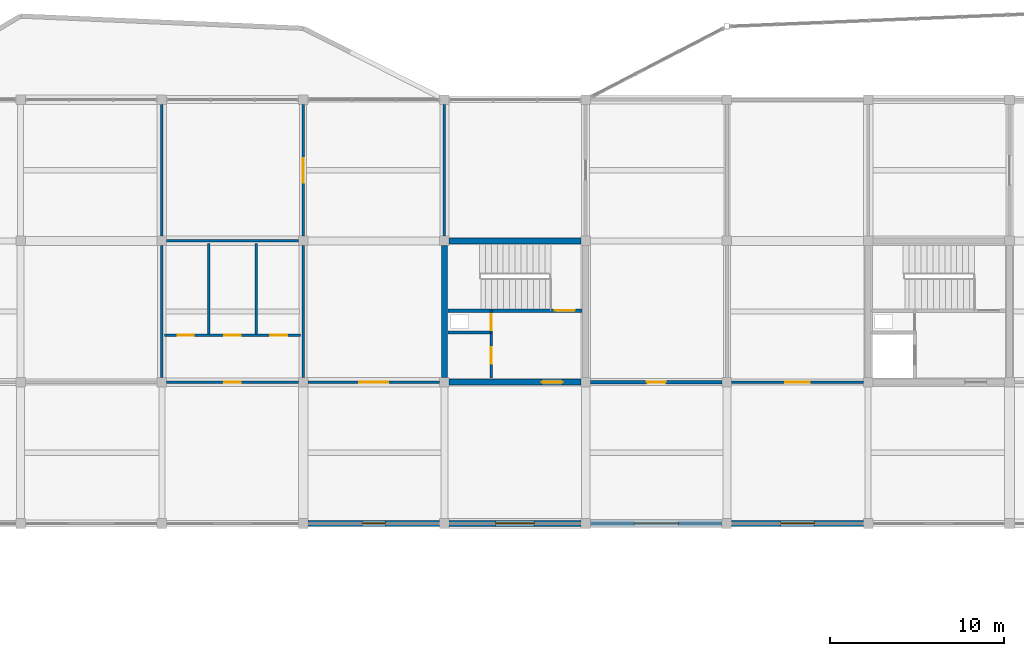
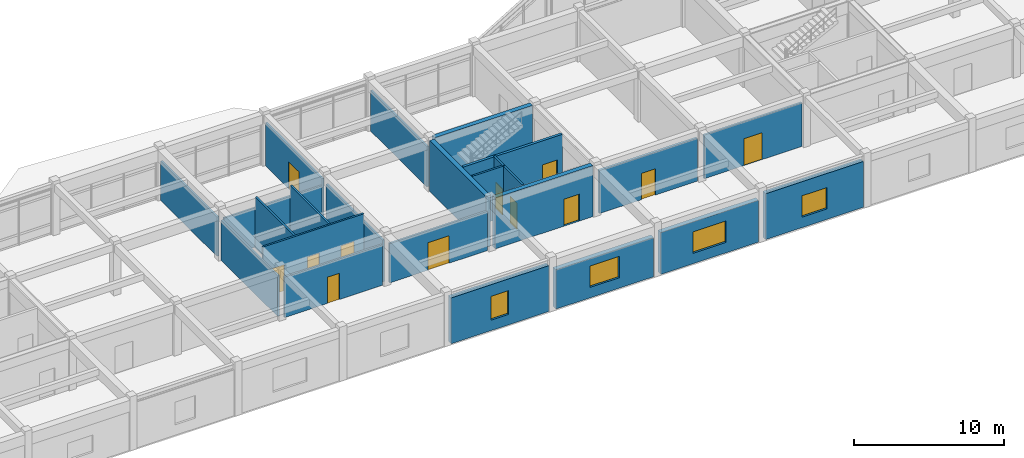
# One storey, part 28 of 42: 24 walls, 12 doors, 4 windows, 16 openings.
"""IFC4 building model written with IfcOpenShell, lengths in metres."""

from ifc_helpers import new_model, si_unit, direction, frame, frame_2d, origin, place, context, subcontext, project, spatial, rectangle, extrude, material, layer, layer_set, type_object, element, fill, save


model = new_model("IFC4")

# Units and contexts
model_context = context("Model", 3, precision=1e-05, world=origin(), true_north=direction((0.0, 1.0)))
body_context = subcontext(model_context, "Body", "Model", "MODEL_VIEW")
ifc_project = project(units=[si_unit("LENGTHUNIT", "METRE"), si_unit("AREAUNIT", "SQUARE_METRE"), si_unit("VOLUMEUNIT", "CUBIC_METRE"), si_unit("PLANEANGLEUNIT", "RADIAN"), si_unit("MASSUNIT", "GRAM", prefix="KILO")], contexts=[model_context])

# Site, building, storey
site_placement = place(None, origin())
site = spatial("IfcSite", under=ifc_project, at=site_placement, CompositionType="ELEMENT")
building_placement = place(site_placement, origin())
building = spatial("IfcBuilding", under=site, at=building_placement, Name="Vaudrelin Polytechnic", CompositionType="ELEMENT")
storey_placement = place(building_placement, frame((0.0, 0.0, 18.530029296875)))
storey = spatial("IfcBuildingStorey", under=building, at=storey_placement, Name="L04", CompositionType="ELEMENT", Elevation=18.530029296875)

# Wall, opening, window
ifc_material_1 = material(Name="Precast concrete 35 MPa with standing-seam zinc rainscreen", Category="concrete")
ifc_layer_1 = layer(ifc_material_1, 0.360107421875)
ifc_layer_set_1 = layer_set([ifc_layer_1], Name="Precast concrete 35 MPa with standing-seam zinc rainscreen")
wall_type_1 = type_object("IfcWallType", Name="WAL-EW-ZINC360", PredefinedType="STANDARD", material=ifc_layer_set_1)
wall_1_placement = place(storey_placement, frame((48.873046875, 97.199951171875, 0.0), z_axis=(0.0, 0.0, 1.0), x_axis=(1.0, 0.0, 0.0)))
wall_1 = element("IfcWall", 1, at=wall_1_placement, inside=storey, type_object=wall_type_1, Name="Exterior wall L04 S_V5_05", PredefinedType="STANDARD", context=body_context, shape_type="SweptSolid", body=[
    extrude(rectangle(XDim=7.553955078125, YDim=0.360107421875, at=frame_2d((3.77685546875, 0.0))), origin(), (0.0, 0.0, 1.0), 3.7470703125),
])
opening_1_placement = place(wall_1_placement, frame((3.10205078125, 0.0, 0.85009765625)))
opening_1 = element("IfcOpeningElement", 2, at=opening_1_placement, cuts=wall_1, Name="Opening W-L04-S-V5-06", PredefinedType="OPENING", context=body_context, shape_type="SweptSolid", body=[
    extrude(rectangle(XDim=1.35009765625, YDim=1.949951171875, at=frame_2d((0.675048828125, 0.97509765625))), frame((0.0, 0.18994140625, 0.0), z_axis=(0.0, -1.0, 0.0), x_axis=(1.0, 0.0, 0.0)), (0.0, 0.0, 1.0), 0.380126953125),
])
ifc_material_2 = material(Name="Thermally broken aluminium frame with triple low-e glazing", Category="aluminium")
window_type_1 = type_object("IfcWindowType", Name="WIN-WN-14", PartitioningType="SINGLE_PANEL", PredefinedType="WINDOW", material=ifc_material_2)
window_1_placement = place(opening_1_placement, origin())
window_1 = element("IfcWindow", 3, at=window_1_placement, inside=storey, type_object=window_type_1, Name="Facade window L04-S_V5_05", OverallHeight=1.949951171875, OverallWidth=1.35009765625, PartitioningType="SINGLE_PANEL", PredefinedType="WINDOW", context=body_context, shape_type="SweptSolid", body=[
    extrude(rectangle(XDim=1.35009765625, YDim=1.949951171875, at=frame_2d((0.675048828125, 0.97509765625))), frame((0.0, 0.030029296875, 0.0), z_axis=(0.0, -1.0, 0.0), x_axis=(1.0, 0.0, 0.0)), (0.0, 0.0, 1.0), 0.06005859375),
])
fill(opening_1, window_1)

wall_2_placement = place(storey_placement, frame((56.972900390625, 97.199951171875, 0.0), z_axis=(0.0, 0.0, 1.0), x_axis=(1.0, 0.0, 0.0)))
wall_2 = element("IfcWall", 4, at=wall_2_placement, inside=storey, type_object=wall_type_1, Name="Exterior wall L04 S_V5_06", PredefinedType="STANDARD", context=body_context, shape_type="SweptSolid", body=[
    extrude(rectangle(XDim=7.55419921875, YDim=0.360107421875, at=frame_2d((3.777099609375, 0.0))), origin(), (0.0, 0.0, 1.0), 3.2119140625),
])
opening_2_placement = place(wall_2_placement, frame((2.652099609375, 0.0, 0.85009765625)))
opening_2 = element("IfcOpeningElement", 5, at=opening_2_placement, cuts=wall_2, Name="Opening W-L04-S-V5-07", PredefinedType="OPENING", context=body_context, shape_type="SweptSolid", body=[
    extrude(rectangle(XDim=2.25, YDim=1.75, at=frame_2d((1.125, 0.875))), frame((0.0, 0.18994140625, 0.0), z_axis=(0.0, -1.0, 0.0), x_axis=(1.0, 0.0, 0.0)), (0.0, 0.0, 1.0), 0.380126953125),
])
window_type_2 = type_object("IfcWindowType", Name="WIN-WN-15", PartitioningType="SINGLE_PANEL", PredefinedType="WINDOW", material=ifc_material_2)
window_2_placement = place(opening_2_placement, origin())
window_2 = element("IfcWindow", 6, at=window_2_placement, inside=storey, type_object=window_type_2, Name="Facade window L04-S_V5_06", OverallHeight=1.75, OverallWidth=2.25, PartitioningType="SINGLE_PANEL", PredefinedType="WINDOW", context=body_context, shape_type="SweptSolid", body=[
    extrude(rectangle(XDim=2.25, YDim=1.75, at=frame_2d((1.125, 0.875))), frame((0.0, 0.030029296875, 0.0), z_axis=(0.0, -1.0, 0.0), x_axis=(1.0, 0.0, 0.0)), (0.0, 0.0, 1.0), 0.06005859375),
])
fill(opening_2, window_2)

wall_3_placement = place(storey_placement, frame((65.072998046875, 97.199951171875, 0.0), z_axis=(0.0, 0.0, 1.0), x_axis=(1.0, 0.0, 0.0)))
wall_3 = element("IfcWall", 7, at=wall_3_placement, inside=storey, type_object=wall_type_1, Name="Exterior wall L04 S_V5_07", PredefinedType="STANDARD", context=body_context, shape_type="SweptSolid", body=[
    extrude(rectangle(XDim=7.553955078125, YDim=0.360107421875, at=frame_2d((3.77685546875, 0.0))), origin(), (0.0, 0.0, 1.0), 3.411865234375),
])
opening_3_placement = place(wall_3_placement, frame((2.501953125, 0.0, 0.85009765625)))
opening_3 = element("IfcOpeningElement", 8, at=opening_3_placement, cuts=wall_3, Name="Opening W-L04-S-V5-08", PredefinedType="OPENING", context=body_context, shape_type="SweptSolid", body=[
    extrude(rectangle(XDim=2.550048828125, YDim=1.75, at=frame_2d((1.27490234375, 0.875))), frame((0.0, 0.18994140625, 0.0), z_axis=(0.0, -1.0, 0.0), x_axis=(1.0, 0.0, 0.0)), (0.0, 0.0, 1.0), 0.380126953125),
])
window_type_3 = type_object("IfcWindowType", Name="WIN-WN-16", PartitioningType="SINGLE_PANEL", PredefinedType="WINDOW", material=ifc_material_2)
window_3_placement = place(opening_3_placement, origin())
window_3 = element("IfcWindow", 9, at=window_3_placement, inside=storey, type_object=window_type_3, Name="Facade window L04-S_V5_07", OverallHeight=1.75, OverallWidth=2.550048828125, PartitioningType="SINGLE_PANEL", PredefinedType="WINDOW", context=body_context, shape_type="SweptSolid", body=[
    extrude(rectangle(XDim=2.550048828125, YDim=1.75, at=frame_2d((1.27490234375, 0.875))), frame((0.0, 0.030029296875, 0.0), z_axis=(0.0, -1.0, 0.0), x_axis=(1.0, 0.0, 0.0)), (0.0, 0.0, 1.0), 0.06005859375),
])
fill(opening_3, window_3)

wall_4_placement = place(storey_placement, frame((73.173095703125, 97.199951171875, 0.0), z_axis=(0.0, 0.0, 1.0), x_axis=(1.0, 0.0, 0.0)))
wall_4 = element("IfcWall", 10, at=wall_4_placement, inside=storey, type_object=wall_type_1, Name="Exterior wall L04 S_V5_08", PredefinedType="STANDARD", context=body_context, shape_type="SweptSolid", body=[
    extrude(rectangle(XDim=7.553955078125, YDim=0.360107421875, at=frame_2d((3.77685546875, 0.0))), origin(), (0.0, 0.0, 1.0), 3.7470703125),
])
opening_4_placement = place(wall_4_placement, frame((2.802001953125, 0.0, 0.85009765625)))
opening_4 = element("IfcOpeningElement", 11, at=opening_4_placement, cuts=wall_4, Name="Opening W-L04-S-V5-09", PredefinedType="OPENING", context=body_context, shape_type="SweptSolid", body=[
    extrude(rectangle(XDim=1.949951171875, YDim=1.75, at=frame_2d((0.97509765625, 0.875))), frame((0.0, 0.18994140625, 0.0), z_axis=(0.0, -1.0, 0.0), x_axis=(1.0, 0.0, 0.0)), (0.0, 0.0, 1.0), 0.380126953125),
])
window_type_4 = type_object("IfcWindowType", Name="WIN-WN-17", PartitioningType="SINGLE_PANEL", PredefinedType="WINDOW", material=ifc_material_2)
window_4_placement = place(opening_4_placement, origin())
window_4 = element("IfcWindow", 12, at=window_4_placement, inside=storey, type_object=window_type_4, Name="Facade window L04-S_V5_08", OverallHeight=1.75, OverallWidth=1.949951171875, PartitioningType="SINGLE_PANEL", PredefinedType="WINDOW", context=body_context, shape_type="SweptSolid", body=[
    extrude(rectangle(XDim=1.949951171875, YDim=1.75, at=frame_2d((0.97509765625, 0.875))), frame((0.0, 0.030029296875, 0.0), z_axis=(0.0, -1.0, 0.0), x_axis=(1.0, 0.0, 0.0)), (0.0, 0.0, 1.0), 0.06005859375),
])
fill(opening_4, window_4)

# Wall, opening, door
ifc_material_3 = material(Name="Acoustic double-stud gypsum & mineral-wool partition", Category="gypsum")
ifc_layer_2 = layer(ifc_material_3, 0.179931640625)
ifc_layer_set_2 = layer_set([ifc_layer_2], Name="Acoustic double-stud gypsum & mineral-wool partition")
wall_type_2 = type_object("IfcWallType", Name="WAL-PW-AC180", PredefinedType="PARTITIONING", material=ifc_layer_set_2)
wall_5_placement = place(storey_placement, frame((65.072998046875, 105.300048828125, 0.0), z_axis=(0.0, 0.0, 1.0), x_axis=(1.0, 0.0, 0.0)))
wall_5 = element("IfcWall", 13, at=wall_5_placement, inside=storey, type_object=wall_type_2, Name="Partition L04-003 S", PredefinedType="PARTITIONING", context=body_context, shape_type="SweptSolid", body=[
    extrude(rectangle(XDim=7.553955078125, YDim=0.179931640625, at=frame_2d((3.77685546875, 0.0))), origin(), (0.0, 0.0, 1.0), 3.511962890625),
])
opening_5_placement = place(wall_5_placement, frame((3.237060546875, 0.0, 0.0)))
opening_5 = element("IfcOpeningElement", 14, at=opening_5_placement, cuts=wall_5, Name="Opening D-L04-519", PredefinedType="OPENING", context=body_context, shape_type="SweptSolid", body=[
    extrude(rectangle(XDim=1.080078125, YDim=2.14990234375, at=frame_2d((0.5400390625, 1.074951171875))), frame((0.0, 0.10009765625, 0.0), z_axis=(0.0, -1.0, 0.0), x_axis=(1.0, 0.0, 0.0)), (0.0, 0.0, 1.0), 0.199951171875),
])
ifc_material_4 = material(Name="Solid-core birch veneer acoustic leaf", Category="wood")
door_type_1 = type_object("IfcDoorType", Name="DOR-ID-SEM2", OperationType="NOTDEFINED", PredefinedType="DOOR", material=ifc_material_4)
door_1_placement = place(opening_5_placement, origin())
door_1 = element("IfcDoor", 15, at=door_1_placement, inside=storey, type_object=door_type_1, Name="Pin-Up Critique Seminar Room 401 door L04-003", OperationType="SINGLE_SWING_RIGHT", OverallHeight=2.14990234375, OverallWidth=1.080078125, PredefinedType="DOOR", context=body_context, shape_type="SweptSolid", body=[
    extrude(rectangle(XDim=1.080078125, YDim=2.14990234375, at=frame_2d((0.5400390625, 1.074951171875))), frame((0.0, 0.02490234375, 0.0), z_axis=(0.0, -1.0, 0.0), x_axis=(1.0, 0.0, 0.0)), (0.0, 0.0, 1.0), 0.050048828125),
])
fill(opening_5, door_1)

ifc_material_5 = material(Name="Fire-rated steel-stud gypsum compartment wall", Category="steel")
ifc_layer_3 = layer(ifc_material_5, 0.14990234375)
ifc_layer_set_3 = layer_set([ifc_layer_3], Name="Fire-rated steel-stud gypsum compartment wall")
wall_type_3 = type_object("IfcWallType", Name="WAL-PW-FIRE60", PredefinedType="PARTITIONING", material=ifc_layer_set_3)
wall_6_placement = place(storey_placement, frame((59.3798828125, 108.14990234375, 0.0), z_axis=(0.0, 0.0, 1.0), x_axis=(0.0, 1.0, 0.0)))
wall_6 = element("IfcWall", 16, at=wall_6_placement, inside=storey, type_object=wall_type_3, Name="Core C9 riser enclosure wall L04", PredefinedType="PARTITIONING", context=body_context, shape_type="SweptSolid", body=[
    extrude(rectangle(XDim=1.260009765625, YDim=0.14990234375, at=frame_2d((0.6298828125, 0.0))), origin(), (0.0, 0.0, 1.0), 4.161865234375),
])
opening_6_placement = place(wall_6_placement, frame((0.139892578125, 0.0, 0.0)))
opening_6 = element("IfcOpeningElement", 17, at=opening_6_placement, cuts=wall_6, Name="Opening D-L04-197", PredefinedType="OPENING", context=body_context, shape_type="SweptSolid", body=[
    extrude(rectangle(XDim=0.89990234375, YDim=2.14990234375, at=frame_2d((0.449951171875, 1.074951171875))), frame((0.0, 0.0849609375, 0.0), z_axis=(0.0, -1.0, 0.0), x_axis=(1.0, 0.0, 0.0)), (0.0, 0.0, 1.0), 0.169921875),
])
ifc_material_6 = material(Name="Pressed galvanised steel acoustic leaf", Category="steel")
door_type_2 = type_object("IfcDoorType", Name="DOR-ID-RSR1", OperationType="NOTDEFINED", PredefinedType="DOOR", material=ifc_material_6)
door_2_placement = place(opening_6_placement, origin())
door_2 = element("IfcDoor", 18, at=door_2_placement, inside=storey, type_object=door_type_2, Name="Core C9 riser access door L04", OperationType="SINGLE_SWING_RIGHT", OverallHeight=2.14990234375, OverallWidth=0.89990234375, PredefinedType="DOOR", context=body_context, shape_type="SweptSolid", body=[
    extrude(rectangle(XDim=0.89990234375, YDim=2.14990234375, at=frame_2d((0.449951171875, 1.074951171875))), frame((0.0, 0.02490234375, 0.0), z_axis=(0.0, -1.0, 0.0), x_axis=(1.0, 0.0, 0.0)), (0.0, 0.0, 1.0), 0.050048828125),
])
fill(opening_6, door_2)

# Wall
wall_7_placement = place(storey_placement, frame((56.919921875, 108.14990234375, 0.0), z_axis=(0.0, 0.0, 1.0), x_axis=(1.0, 0.0, 0.0)))
element("IfcWall", 19, at=wall_7_placement, inside=storey, type_object=wall_type_3, Name="Core C9 riser south fire wall L04", PredefinedType="PARTITIONING", context=body_context, shape_type="SweptSolid", body=[
    extrude(rectangle(XDim=2.530029296875, YDim=0.14990234375, at=frame_2d((1.26513671875, 0.0))), origin(), (0.0, 0.0, 1.0), 4.161865234375),
])

# Wall, opening, door
wall_8_placement = place(storey_placement, frame((59.3798828125, 105.550048828125, 0.0), z_axis=(0.0, 0.0, 1.0), x_axis=(0.0, 1.0, 0.0)))
wall_8 = element("IfcWall", 20, at=wall_8_placement, inside=storey, type_object=wall_type_3, Name="Core C9 custodial enclosure wall L04", PredefinedType="PARTITIONING", context=body_context, shape_type="SweptSolid", body=[
    extrude(rectangle(XDim=2.599853515625, YDim=0.14990234375, at=frame_2d((1.2998046875, 0.0))), origin(), (0.0, 0.0, 1.0), 4.161865234375),
])
opening_7_placement = place(wall_8_placement, frame((0.800048828125, 0.0, 0.0)))
opening_7 = element("IfcOpeningElement", 21, at=opening_7_placement, cuts=wall_8, Name="Opening D-L04-198", PredefinedType="OPENING", context=body_context, shape_type="SweptSolid", body=[
    extrude(rectangle(XDim=0.949951171875, YDim=2.14990234375, at=frame_2d((0.47509765625, 1.074951171875))), frame((0.0, 0.0849609375, 0.0), z_axis=(0.0, -1.0, 0.0), x_axis=(1.0, 0.0, 0.0)), (0.0, 0.0, 1.0), 0.169921875),
])
door_type_3 = type_object("IfcDoorType", Name="DOR-ID-STR1", OperationType="NOTDEFINED", PredefinedType="DOOR", material=ifc_material_6)
door_3_placement = place(opening_7_placement, origin())
door_3 = element("IfcDoor", 22, at=door_3_placement, inside=storey, type_object=door_type_3, Name="Core C9 custodial door L04", OperationType="SINGLE_SWING_RIGHT", OverallHeight=2.14990234375, OverallWidth=0.949951171875, PredefinedType="DOOR", context=body_context, shape_type="SweptSolid", body=[
    extrude(rectangle(XDim=0.949951171875, YDim=2.14990234375, at=frame_2d((0.47509765625, 1.074951171875))), frame((0.0, 0.02490234375, 0.0), z_axis=(0.0, -1.0, 0.0), x_axis=(1.0, 0.0, 0.0)), (0.0, 0.0, 1.0), 0.050048828125),
])
fill(opening_7, door_3)

# Wall
ifc_material_7 = material(Name="Pin-up plywood & acoustic gypsum studio partition", Category="wood")
ifc_layer_4 = layer(ifc_material_7, 0.14990234375)
ifc_layer_set_4 = layer_set([ifc_layer_4], Name="Pin-up plywood & acoustic gypsum studio partition")
wall_type_4 = type_object("IfcWallType", Name="WAL-PW-STU150", PredefinedType="PARTITIONING", material=ifc_layer_set_4)
wall_9_placement = place(storey_placement, frame((40.5, 113.673095703125, 0.0), z_axis=(0.0, 0.0, 1.0), x_axis=(0.0, 1.0, 0.0)))
element("IfcWall", 23, at=wall_9_placement, inside=storey, type_object=wall_type_4, Name="Partition L04-002 E", PredefinedType="PARTITIONING", context=body_context, shape_type="SweptSolid", body=[
    extrude(rectangle(XDim=7.553955078125, YDim=0.14990234375, at=frame_2d((3.77685546875, 0.0))), origin(), (0.0, 0.0, 1.0), 3.2119140625),
])

# Wall, opening, door
wall_10_placement = place(storey_placement, frame((73.173095703125, 105.300048828125, 0.0), z_axis=(0.0, 0.0, 1.0), x_axis=(1.0, 0.0, 0.0)))
wall_10 = element("IfcWall", 24, at=wall_10_placement, inside=storey, type_object=wall_type_4, Name="Partition L04-004 S", PredefinedType="PARTITIONING", context=body_context, shape_type="SweptSolid", body=[
    extrude(rectangle(XDim=7.553955078125, YDim=0.14990234375, at=frame_2d((3.77685546875, 0.0))), origin(), (0.0, 0.0, 1.0), 3.56201171875),
])
opening_8_placement = place(wall_10_placement, frame((3.076904296875, 0.0, 0.0)))
opening_8 = element("IfcOpeningElement", 25, at=opening_8_placement, cuts=wall_10, Name="Opening D-L04-520", PredefinedType="OPENING", context=body_context, shape_type="SweptSolid", body=[
    extrude(rectangle(XDim=1.39990234375, YDim=2.199951171875, at=frame_2d((0.699951171875, 1.10009765625))), frame((0.0, 0.0849609375, 0.0), z_axis=(0.0, -1.0, 0.0), x_axis=(1.0, 0.0, 0.0)), (0.0, 0.0, 1.0), 0.169921875),
])
door_type_4 = type_object("IfcDoorType", Name="DOR-ID-STU1", OperationType="NOTDEFINED", PredefinedType="DOOR", material=ifc_material_4)
door_4_placement = place(opening_8_placement, origin())
door_4 = element("IfcDoor", 26, at=door_4_placement, inside=storey, type_object=door_type_4, Name="Building Physics Simulation Studio door L04-004", OperationType="DOUBLE_SWING_LEFT", OverallHeight=2.199951171875, OverallWidth=1.39990234375, PredefinedType="DOOR", context=body_context, shape_type="SweptSolid", body=[
    extrude(rectangle(XDim=1.39990234375, YDim=2.199951171875, at=frame_2d((0.699951171875, 1.10009765625))), frame((0.0, 0.02490234375, 0.0), z_axis=(0.0, -1.0, 0.0), x_axis=(1.0, 0.0, 0.0)), (0.0, 0.0, 1.0), 0.050048828125),
])
fill(opening_8, door_4)

wall_11_placement = place(storey_placement, frame((48.873046875, 105.300048828125, 0.0), z_axis=(0.0, 0.0, 1.0), x_axis=(1.0, 0.0, 0.0)))
wall_11 = element("IfcWall", 27, at=wall_11_placement, inside=storey, type_object=wall_type_4, Name="Partition L04-019 S", PredefinedType="PARTITIONING", context=body_context, shape_type="SweptSolid", body=[
    extrude(rectangle(XDim=7.553955078125, YDim=0.14990234375, at=frame_2d((3.77685546875, 0.0))), origin(), (0.0, 0.0, 1.0), 3.2119140625),
])
opening_9_placement = place(wall_11_placement, frame((2.95703125, 0.0, 0.0)))
opening_9 = element("IfcOpeningElement", 28, at=opening_9_placement, cuts=wall_11, Name="Opening D-L04-533", PredefinedType="OPENING", context=body_context, shape_type="SweptSolid", body=[
    extrude(rectangle(XDim=1.639892578125, YDim=2.25, at=frame_2d((0.81982421875, 1.125))), frame((0.0, 0.0849609375, 0.0), z_axis=(0.0, -1.0, 0.0), x_axis=(1.0, 0.0, 0.0)), (0.0, 0.0, 1.0), 0.169921875),
])
door_type_5 = type_object("IfcDoorType", Name="DOR-ID-STU2", OperationType="NOTDEFINED", PredefinedType="DOOR", material=ifc_material_4)
door_5_placement = place(opening_9_placement, origin())
door_5 = element("IfcDoor", 29, at=door_5_placement, inside=storey, type_object=door_type_5, Name="Building Envelope Testing Studio door L04-019", OperationType="DOUBLE_SWING_LEFT", OverallHeight=2.25, OverallWidth=1.639892578125, PredefinedType="DOOR", context=body_context, shape_type="SweptSolid", body=[
    extrude(rectangle(XDim=1.639892578125, YDim=2.25, at=frame_2d((0.81982421875, 1.125))), frame((0.0, 0.02490234375, 0.0), z_axis=(0.0, -1.0, 0.0), x_axis=(1.0, 0.0, 0.0)), (0.0, 0.0, 1.0), 0.050048828125),
])
fill(opening_9, door_5)

# Wall
wall_12_placement = place(storey_placement, frame((56.699951171875, 113.673095703125, 0.0), z_axis=(0.0, 0.0, 1.0), x_axis=(0.0, 1.0, 0.0)))
element("IfcWall", 30, at=wall_12_placement, inside=storey, type_object=wall_type_4, Name="Partition L04-019 E", PredefinedType="PARTITIONING", context=body_context, shape_type="SweptSolid", body=[
    extrude(rectangle(XDim=7.553955078125, YDim=0.14990234375, at=frame_2d((3.77685546875, 0.0))), origin(), (0.0, 0.0, 1.0), 3.31201171875),
])

# Wall, opening, door
wall_13_placement = place(storey_placement, frame((48.60009765625, 113.673095703125, 0.0), z_axis=(0.0, 0.0, 1.0), x_axis=(0.0, 1.0, 0.0)))
wall_13 = element("IfcWall", 31, at=wall_13_placement, inside=storey, type_object=wall_type_4, Name="Partition L04-019 W", PredefinedType="PARTITIONING", context=body_context, shape_type="SweptSolid", body=[
    extrude(rectangle(XDim=7.553955078125, YDim=0.14990234375, at=frame_2d((3.77685546875, 0.0))), origin(), (0.0, 0.0, 1.0), 3.511962890625),
])
opening_10_placement = place(wall_13_placement, frame((3.076904296875, 0.0, 0.0)))
opening_10 = element("IfcOpeningElement", 32, at=opening_10_placement, cuts=wall_13, Name="Opening D-L04-535", PredefinedType="OPENING", context=body_context, shape_type="SweptSolid", body=[
    extrude(rectangle(XDim=1.39990234375, YDim=2.199951171875, at=frame_2d((0.699951171875, 1.10009765625))), frame((0.0, 0.0849609375, 0.0), z_axis=(0.0, -1.0, 0.0), x_axis=(1.0, 0.0, 0.0)), (0.0, 0.0, 1.0), 0.169921875),
])
door_6_placement = place(opening_10_placement, origin())
door_6 = element("IfcDoor", 33, at=door_6_placement, inside=storey, type_object=door_type_4, Name="Daylight Heliodon Testing Alcove door L04-021", OperationType="DOUBLE_SWING_LEFT", OverallHeight=2.199951171875, OverallWidth=1.39990234375, PredefinedType="DOOR", context=body_context, shape_type="SweptSolid", body=[
    extrude(rectangle(XDim=1.39990234375, YDim=2.199951171875, at=frame_2d((0.699951171875, 1.10009765625))), frame((0.0, 0.02490234375, 0.0), z_axis=(0.0, -1.0, 0.0), x_axis=(1.0, 0.0, 0.0)), (0.0, 0.0, 1.0), 0.050048828125),
])
fill(opening_10, door_6)

ifc_material_8 = material(Name="Cement-board tiled wet-wall washroom partition", Category="gypsum")
ifc_layer_5 = layer(ifc_material_8, 0.139892578125)
ifc_layer_set_5 = layer_set([ifc_layer_5], Name="Cement-board tiled wet-wall washroom partition")
wall_type_5 = type_object("IfcWallType", Name="WAL-PW-WC140", PredefinedType="PARTITIONING", material=ifc_layer_set_5)
wall_14_placement = place(storey_placement, frame((40.77294921875, 105.300048828125, 0.0), z_axis=(0.0, 0.0, 1.0), x_axis=(1.0, 0.0, 0.0)))
wall_14 = element("IfcWall", 34, at=wall_14_placement, inside=storey, type_object=wall_type_5, Name="Washroom enclosure wall L04-5-13-S", PredefinedType="PARTITIONING", context=body_context, shape_type="SweptSolid", body=[
    extrude(rectangle(XDim=7.553955078125, YDim=0.139892578125, at=frame_2d((3.77685546875, 0.0))), origin(), (0.0, 0.0, 1.0), 3.31005859375),
])
opening_11_placement = place(wall_14_placement, frame((3.31689453125, 0.0, 0.0)))
opening_11 = element("IfcOpeningElement", 35, at=opening_11_placement, cuts=wall_14, Name="Opening D-L04-369", PredefinedType="OPENING", context=body_context, shape_type="SweptSolid", body=[
    extrude(rectangle(XDim=0.919921875, YDim=2.14990234375, at=frame_2d((0.4599609375, 1.074951171875))), frame((0.0, 0.080078125, 0.0), z_axis=(0.0, -1.0, 0.0), x_axis=(1.0, 0.0, 0.0)), (0.0, 0.0, 1.0), 0.159912109375),
])
door_type_6 = type_object("IfcDoorType", Name="DOR-ID-WC1", OperationType="NOTDEFINED", PredefinedType="DOOR", material=ifc_material_4)
door_7_placement = place(opening_11_placement, origin())
door_7 = element("IfcDoor", 36, at=door_7_placement, inside=storey, type_object=door_type_6, Name="Washroom vestibule door L04-5-13-S", OperationType="SINGLE_SWING_LEFT", OverallHeight=2.14990234375, OverallWidth=0.919921875, PredefinedType="DOOR", context=body_context, shape_type="SweptSolid", body=[
    extrude(rectangle(XDim=0.919921875, YDim=2.14990234375, at=frame_2d((0.4599609375, 1.074951171875))), frame((0.0, 0.02490234375, 0.0), z_axis=(0.0, -1.0, 0.0), x_axis=(1.0, 0.0, 0.0)), (0.0, 0.0, 1.0), 0.050048828125),
])
fill(opening_11, door_7)

# Walls
wall_15_placement = place(storey_placement, frame((40.77294921875, 113.39990234375, 0.0), z_axis=(0.0, 0.0, 1.0), x_axis=(1.0, 0.0, 0.0)))
element("IfcWall", 37, at=wall_15_placement, inside=storey, type_object=wall_type_5, Name="Washroom enclosure wall L04-5-13-N", PredefinedType="PARTITIONING", context=body_context, shape_type="SweptSolid", body=[
    extrude(rectangle(XDim=7.553955078125, YDim=0.139892578125, at=frame_2d((3.77685546875, 0.0))), origin(), (0.0, 0.0, 1.0), 3.2099609375),
])
wall_16_placement = place(storey_placement, frame((40.5, 105.572998046875, 0.0), z_axis=(0.0, 0.0, 1.0), x_axis=(0.0, 1.0, 0.0)))
element("IfcWall", 38, at=wall_16_placement, inside=storey, type_object=wall_type_5, Name="Washroom enclosure wall L04-5-13-W", PredefinedType="PARTITIONING", context=body_context, shape_type="SweptSolid", body=[
    extrude(rectangle(XDim=7.553955078125, YDim=0.139892578125, at=frame_2d((3.77685546875, 0.0))), origin(), (0.0, 0.0, 1.0), 3.31005859375),
])
wall_17_placement = place(storey_placement, frame((48.60009765625, 105.572998046875, 0.0), z_axis=(0.0, 0.0, 1.0), x_axis=(0.0, 1.0, 0.0)))
element("IfcWall", 39, at=wall_17_placement, inside=storey, type_object=wall_type_5, Name="Washroom enclosure wall L04-5-13-E", PredefinedType="PARTITIONING", context=body_context, shape_type="SweptSolid", body=[
    extrude(rectangle(XDim=7.553955078125, YDim=0.139892578125, at=frame_2d((3.77685546875, 0.0))), origin(), (0.0, 0.0, 1.0), 3.409912109375),
])

# Wall, openings, doors
wall_18_placement = place(storey_placement, frame((40.64990234375, 108.0, 0.0), z_axis=(0.0, 0.0, 1.0), x_axis=(1.0, 0.0, 0.0)))
wall_18 = element("IfcWall", 40, at=wall_18_placement, inside=storey, type_object=wall_type_5, Name="Washroom vestibule divider L04-5-13", PredefinedType="PARTITIONING", context=body_context, shape_type="SweptSolid", body=[
    extrude(rectangle(XDim=7.800048828125, YDim=0.139892578125, at=frame_2d((3.89990234375, 0.0))), origin(), (0.0, 0.0, 1.0), 4.161865234375),
])
opening_12_placement = place(wall_18_placement, frame((0.75, 0.0, 0.0)))
opening_12 = element("IfcOpeningElement", 41, at=opening_12_placement, cuts=wall_18, Name="Opening D-L04-370", PredefinedType="OPENING", context=body_context, shape_type="SweptSolid", body=[
    extrude(rectangle(XDim=0.919921875, YDim=2.14990234375, at=frame_2d((0.4599609375, 1.074951171875))), frame((0.0, 0.080078125, 0.0), z_axis=(0.0, -1.0, 0.0), x_axis=(1.0, 0.0, 0.0)), (0.0, 0.0, 1.0), 0.159912109375),
])
opening_13_placement = place(wall_18_placement, frame((3.43994140625, 0.0, 0.0)))
opening_13 = element("IfcOpeningElement", 42, at=opening_13_placement, cuts=wall_18, Name="Opening D-L04-371", PredefinedType="OPENING", context=body_context, shape_type="SweptSolid", body=[
    extrude(rectangle(XDim=0.919921875, YDim=2.14990234375, at=frame_2d((0.4599609375, 1.074951171875))), frame((0.0, 0.080078125, 0.0), z_axis=(0.0, -1.0, 0.0), x_axis=(1.0, 0.0, 0.0)), (0.0, 0.0, 1.0), 0.159912109375),
])
opening_14_placement = place(wall_18_placement, frame((6.050048828125, 0.0, 0.0)))
opening_14 = element("IfcOpeningElement", 43, at=opening_14_placement, cuts=wall_18, Name="Opening D-L04-372", PredefinedType="OPENING", context=body_context, shape_type="SweptSolid", body=[
    extrude(rectangle(XDim=1.0, YDim=2.14990234375, at=frame_2d((0.5, 1.074951171875))), frame((0.0, 0.080078125, 0.0), z_axis=(0.0, -1.0, 0.0), x_axis=(1.0, 0.0, 0.0)), (0.0, 0.0, 1.0), 0.159912109375),
])
door_type_7 = type_object("IfcDoorType", Name="DOR-ID-AWC1", OperationType="NOTDEFINED", PredefinedType="DOOR", material=ifc_material_4)
door_8_placement = place(opening_14_placement, origin())
door_8 = element("IfcDoor", 44, at=door_8_placement, inside=storey, type_object=door_type_7, Name="Washroom stall-room door L04-5-13-3", OperationType="SINGLE_SWING_LEFT", OverallHeight=2.14990234375, OverallWidth=1.0, PredefinedType="DOOR", context=body_context, shape_type="SweptSolid", body=[
    extrude(rectangle(XDim=1.0, YDim=2.14990234375, at=frame_2d((0.5, 1.074951171875))), frame((0.0, 0.02490234375, 0.0), z_axis=(0.0, -1.0, 0.0), x_axis=(1.0, 0.0, 0.0)), (0.0, 0.0, 1.0), 0.050048828125),
])
fill(opening_14, door_8)
door_9_placement = place(opening_12_placement, origin())
door_9 = element("IfcDoor", 45, at=door_9_placement, inside=storey, type_object=door_type_6, Name="Washroom stall-room door L04-5-13-1", OperationType="SINGLE_SWING_LEFT", OverallHeight=2.14990234375, OverallWidth=0.919921875, PredefinedType="DOOR", context=body_context, shape_type="SweptSolid", body=[
    extrude(rectangle(XDim=0.919921875, YDim=2.14990234375, at=frame_2d((0.4599609375, 1.074951171875))), frame((0.0, 0.02490234375, 0.0), z_axis=(0.0, -1.0, 0.0), x_axis=(1.0, 0.0, 0.0)), (0.0, 0.0, 1.0), 0.050048828125),
])
fill(opening_12, door_9)
door_10_placement = place(opening_13_placement, origin())
door_10 = element("IfcDoor", 46, at=door_10_placement, inside=storey, type_object=door_type_6, Name="Washroom stall-room door L04-5-13-2", OperationType="SINGLE_SWING_RIGHT", OverallHeight=2.14990234375, OverallWidth=0.919921875, PredefinedType="DOOR", context=body_context, shape_type="SweptSolid", body=[
    extrude(rectangle(XDim=0.919921875, YDim=2.14990234375, at=frame_2d((0.4599609375, 1.074951171875))), frame((0.0, 0.02490234375, 0.0), z_axis=(0.0, -1.0, 0.0), x_axis=(1.0, 0.0, 0.0)), (0.0, 0.0, 1.0), 0.050048828125),
])
fill(opening_13, door_10)

# Walls
for number, where, z_axis, x_axis, name in (
    (47, (43.199951171875, 108.070068359375, 0.0), (0.0, 0.0, 1.0), (0.0, 1.0, 0.0), "Washroom separation wall L04-5-13-1"),
    (48, (45.89990234375, 108.070068359375, 0.0), (0.0, 0.0, 1.0), (0.0, 1.0, 0.0), "Washroom separation wall L04-5-13-2"),
):
    element("IfcWall", number, at=place(storey_placement, frame(where, z_axis=z_axis, x_axis=x_axis)), inside=storey, type_object=wall_type_5, Name=name, PredefinedType="PARTITIONING", context=body_context, shape_type="SweptSolid", body=[
        extrude(rectangle(XDim=5.179931640625, YDim=0.139892578125, at=frame_2d((2.58984375, 0.0))), origin(), (0.0, 0.0, 1.0), 4.161865234375),
    ])

# Wall, opening, door
ifc_material_9 = material(Name="Concrete 40 MPa", Category="concrete")
ifc_layer_6 = layer(ifc_material_9, 0.199951171875)
ifc_layer_set_6 = layer_set([ifc_layer_6], Name="Concrete 40 MPa")
wall_type_6 = type_object("IfcWallType", Name="WAL-SW-CORE200", PredefinedType="SHEAR", material=ifc_layer_set_6)
wall_19_placement = place(storey_placement, frame((56.919921875, 109.409912109375, 0.0), z_axis=(0.0, 0.0, 1.0), x_axis=(1.0, 0.0, 0.0)))
wall_19 = element("IfcWall", 49, at=wall_19_placement, inside=storey, type_object=wall_type_6, Name="Core C9 stair enclosure wall L04", PredefinedType="SHEAR", context=body_context, shape_type="SweptSolid", body=[
    extrude(rectangle(XDim=7.66015625, YDim=0.199951171875, at=frame_2d((3.830078125, 0.0))), origin(), (0.0, 0.0, 1.0), 4.161865234375),
])
opening_15_placement = place(wall_19_placement, frame((6.110107421875, 0.0, 0.0)))
opening_15 = element("IfcOpeningElement", 50, at=opening_15_placement, cuts=wall_19, Name="Opening D-L04-196", PredefinedType="OPENING", context=body_context, shape_type="SweptSolid", body=[
    extrude(rectangle(XDim=1.14990234375, YDim=2.199951171875, at=frame_2d((0.574951171875, 1.10009765625))), frame((0.0, 0.10986328125, 0.0), z_axis=(0.0, -1.0, 0.0), x_axis=(1.0, 0.0, 0.0)), (0.0, 0.0, 1.0), 0.219970703125),
])
door_type_8 = type_object("IfcDoorType", Name="DOR-ID-ST1", OperationType="NOTDEFINED", PredefinedType="DOOR", material=ifc_material_6)
door_11_placement = place(opening_15_placement, origin())
door_11 = element("IfcDoor", 51, at=door_11_placement, inside=storey, type_object=door_type_8, Name="Core C9 exit stair door L04", OperationType="SINGLE_SWING_LEFT", OverallHeight=2.199951171875, OverallWidth=1.14990234375, PredefinedType="DOOR", context=body_context, shape_type="SweptSolid", body=[
    extrude(rectangle(XDim=1.14990234375, YDim=2.199951171875, at=frame_2d((0.574951171875, 1.10009765625))), frame((0.0, 0.02490234375, 0.0), z_axis=(0.0, -1.0, 0.0), x_axis=(1.0, 0.0, 0.0)), (0.0, 0.0, 1.0), 0.050048828125),
])
fill(opening_15, door_11)

# Walls
ifc_material_10 = material(Name="Concrete 50 MPa", Category="concrete")
ifc_layer_7 = layer(ifc_material_10, 0.35009765625)
ifc_layer_set_7 = layer_set([ifc_layer_7], Name="Concrete 50 MPa")
wall_type_7 = type_object("IfcWallType", Name="WAL-SW-CORE350", PredefinedType="SHEAR", material=ifc_layer_set_7)
wall_20_placement = place(storey_placement, frame((56.972900390625, 113.39990234375, 0.0), z_axis=(0.0, 0.0, 1.0), x_axis=(1.0, 0.0, 0.0)))
element("IfcWall", 52, at=wall_20_placement, inside=storey, type_object=wall_type_7, Name="Core C9 N shear wall L04", PredefinedType="SHEAR", context=body_context, shape_type="SweptSolid", body=[
    extrude(rectangle(XDim=7.55419921875, YDim=0.35009765625, at=frame_2d((3.777099609375, 0.0))), origin(), (0.0, 0.0, 1.0), 4.161865234375),
])
wall_21_placement = place(storey_placement, frame((56.699951171875, 105.572998046875, 0.0), z_axis=(0.0, 0.0, 1.0), x_axis=(0.0, 1.0, 0.0)))
element("IfcWall", 53, at=wall_21_placement, inside=storey, type_object=wall_type_7, Name="Core C9 W shear wall L04", PredefinedType="SHEAR", context=body_context, shape_type="SweptSolid", body=[
    extrude(rectangle(XDim=7.553955078125, YDim=0.35009765625, at=frame_2d((3.77685546875, 0.0))), origin(), (0.0, 0.0, 1.0), 4.161865234375),
])

# Wall, opening, door
wall_22_placement = place(storey_placement, frame((56.972900390625, 105.300048828125, 0.0), z_axis=(0.0, 0.0, 1.0), x_axis=(1.0, 0.0, 0.0)))
wall_22 = element("IfcWall", 54, at=wall_22_placement, inside=storey, type_object=wall_type_7, Name="Core C9 S shear wall L04", PredefinedType="SHEAR", context=body_context, shape_type="SweptSolid", body=[
    extrude(rectangle(XDim=7.55419921875, YDim=0.35009765625, at=frame_2d((3.777099609375, 0.0))), origin(), (0.0, 0.0, 1.0), 4.161865234375),
])
opening_16_placement = place(wall_22_placement, frame((5.303955078125, 0.0, 0.0)))
opening_16 = element("IfcOpeningElement", 55, at=opening_16_placement, cuts=wall_22, Name="Opening D-L04-195", PredefinedType="OPENING", context=body_context, shape_type="SweptSolid", body=[
    extrude(rectangle(XDim=1.199951171875, YDim=2.199951171875, at=frame_2d((0.60009765625, 1.10009765625))), frame((0.0, 0.18505859375, 0.0), z_axis=(0.0, -1.0, 0.0), x_axis=(1.0, 0.0, 0.0)), (0.0, 0.0, 1.0), 0.3701171875),
])
door_type_9 = type_object("IfcDoorType", Name="DOR-ID-LB1", OperationType="NOTDEFINED", PredefinedType="DOOR", material=ifc_material_6)
door_12_placement = place(opening_16_placement, origin())
door_12 = element("IfcDoor", 56, at=door_12_placement, inside=storey, type_object=door_type_9, Name="Core C9 lobby fire door L04", OperationType="SINGLE_SWING_RIGHT", OverallHeight=2.199951171875, OverallWidth=1.199951171875, PredefinedType="DOOR", context=body_context, shape_type="SweptSolid", body=[
    extrude(rectangle(XDim=1.199951171875, YDim=2.199951171875, at=frame_2d((0.60009765625, 1.10009765625))), frame((0.0, 0.02490234375, 0.0), z_axis=(0.0, -1.0, 0.0), x_axis=(1.0, 0.0, 0.0)), (0.0, 0.0, 1.0), 0.050048828125),
])
fill(opening_16, door_12)

save(model, "model.ifc")
